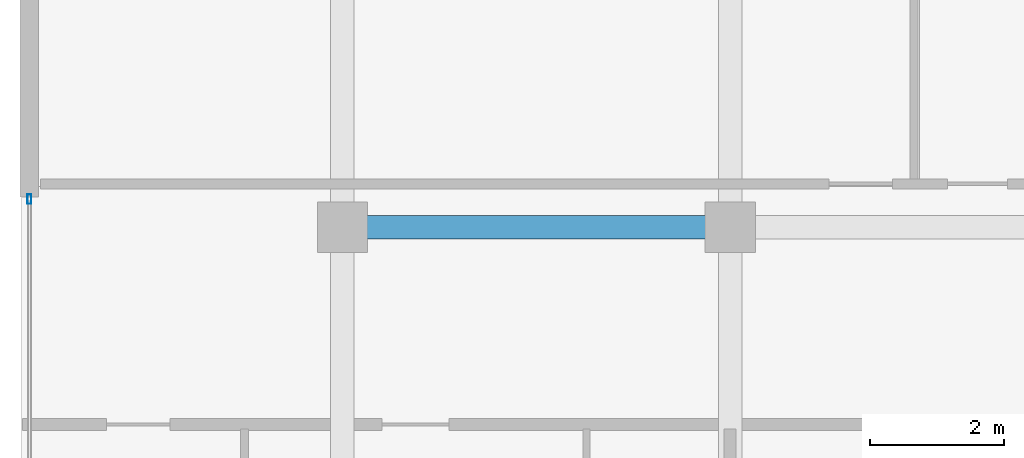
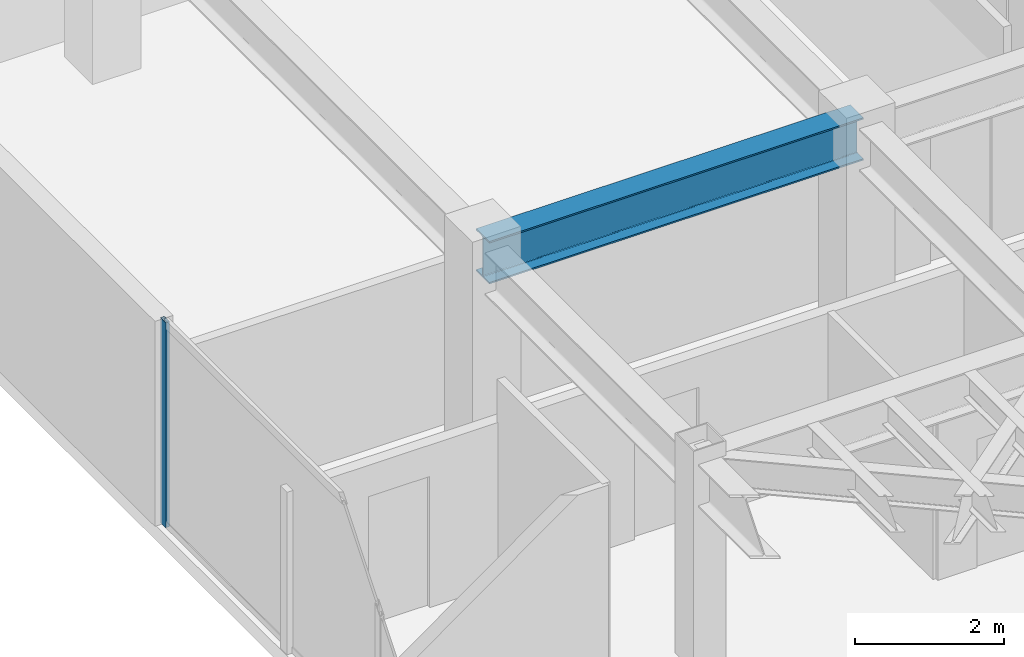
# One storey, part 11 of 19: 1 beam, 1 member, 1 element without a shape of its own.
"""IFC4 building model written with IfcOpenShell, lengths in metres."""

import ifcopenshell
import ifcopenshell.guid

model = None  # the IFC model being written
_history = None  # IfcOwnerHistory: only IFC2X3 demands one
_inside = {}  # id of a spatial element -> (the spatial element, [elements in it])
_under = {}  # id of a project, library or spatial element -> (it, [spatial elements below it])
_declared = {}  # id of a project -> (the project, [libraries it declares])
_typed = {}  # id of a type object -> (the type object, [elements of that type])
_made_of = {}  # id of a material, layer set ... -> (it, [elements and type objects made of it])


def new_model(schema):
    """Start an empty IFC model of exactly this schema.

    Asked for "IFC4X3", IfcOpenShell would pick the latest addendum, in which some entities
    have other attributes; the version numbers below select the first issue.
    IFC2X3 requires an IfcOwnerHistory on every rooted entity: one is made here for all.
    """
    global model, _history
    if schema == "IFC4X3":
        model = ifcopenshell.file(schema_version=(4, 3, 0, 0))
    else:
        model = ifcopenshell.file(schema=schema)
    _inside.clear()
    _under.clear()
    _declared.clear()
    _typed.clear()
    _made_of.clear()
    _history = None
    if model.schema == "IFC2X3":
        org = make("IfcOrganization", Name="unknown")
        user = make(
            "IfcPersonAndOrganization",
            ThePerson=make("IfcPerson", FamilyName="unknown"),
            TheOrganization=org,
        )
        app = make(
            "IfcApplication",
            ApplicationDeveloper=org,
            Version="unknown",
            ApplicationFullName="unknown",
            ApplicationIdentifier="unknown",
        )
        _history = make(
            "IfcOwnerHistory",
            OwningUser=user,
            OwningApplication=app,
            ChangeAction="ADDED",
            CreationDate=0,
        )
    return model


def make(cls, **values):
    """One entity of the class cls with the attributes given. An attribute that is None is left unset."""
    return model.create_entity(
        cls, **{name: value for name, value in values.items() if value is not None}
    )


def rooted(cls, **values):
    """An entity with a GlobalId (a new one), such as an element, a storey or a relation."""
    return make(cls, GlobalId=ifcopenshell.guid.new(), OwnerHistory=_history, **values)


def si_unit(unit_type, name, prefix=None):
    """IfcSIUnit, for example si_unit("LENGTHUNIT", "METRE", prefix="MILLI")."""
    return make("IfcSIUnit", UnitType=unit_type, Prefix=prefix, Name=name)


def assignment(units):
    """IfcUnitAssignment: the units of a project."""
    return None if units is None else make("IfcUnitAssignment", Units=units)


def point(xyz):
    """IfcCartesianPoint."""
    return None if xyz is None else make("IfcCartesianPoint", Coordinates=xyz)


def direction(xyz):
    """IfcDirection."""
    return None if xyz is None else make("IfcDirection", DirectionRatios=xyz)


def frame(location, z_axis=None, x_axis=None):
    """IfcAxis2Placement3D, a coordinate frame: its origin and axes. An axis left out is left unset."""
    return make(
        "IfcAxis2Placement3D",
        Location=point(location),
        Axis=direction(z_axis),
        RefDirection=direction(x_axis),
    )


def frame_2d(location, x_axis=None):
    """IfcAxis2Placement2D, a coordinate frame in the plane: its origin and x axis."""
    return make(
        "IfcAxis2Placement2D", Location=point(location), RefDirection=direction(x_axis)
    )


def origin():
    """The frame at (0, 0, 0) with its axes left unset."""
    return frame((0.0, 0.0, 0.0))


def origin_2d():
    """The frame at (0, 0) in the plane with its x axis left unset."""
    return frame_2d((0.0, 0.0))


def place(relative_to, where):
    """IfcLocalPlacement: puts the frame where relative to a parent placement (None: the world)."""
    return make(
        "IfcLocalPlacement", PlacementRelTo=relative_to, RelativePlacement=where
    )


def context(
    kind, dimensions, precision=None, world=None, true_north=None, identifier=None
):
    """IfcGeometricRepresentationContext, for example the 3D "Model" context."""
    return make(
        "IfcGeometricRepresentationContext",
        ContextIdentifier=identifier,
        ContextType=kind,
        CoordinateSpaceDimension=dimensions,
        Precision=precision,
        WorldCoordinateSystem=world,
        TrueNorth=true_north,
    )


def subcontext(parent, identifier, kind, view, scale=None):
    """IfcGeometricRepresentationSubContext, for example "Body" below "Model"."""
    return make(
        "IfcGeometricRepresentationSubContext",
        ContextIdentifier=identifier,
        ContextType=kind,
        ParentContext=parent,
        TargetScale=scale,
        TargetView=view,
    )


def project(units=None, contexts=None):
    """IfcProject with its units and contexts."""
    return rooted(
        "IfcProject",
        Name="project",
        RepresentationContexts=contexts,
        UnitsInContext=assignment(units),
    )


def spatial(cls, under=None, at=None, **own):
    """A site, building, storey or space (cls), placed at a placement, below another one or the project."""
    s = rooted(cls, ObjectPlacement=at, **own)
    if under is not None:
        _under.setdefault(under.id(), (under, []))[1].append(s)
    return s


def profile(cls, at=None, kind="AREA", **sizes):
    """A parametric profile (cls). Its sizes go by their IFC names, for example OverallWidth=200.0."""
    return make(cls, ProfileType=kind, Position=at, **sizes)


def hollow_rectangle(**sizes):
    """IfcRectangleHollowProfileDef."""
    return profile("IfcRectangleHollowProfileDef", **sizes)


def i_section(**sizes):
    """IfcIShapeProfileDef."""
    return profile("IfcIShapeProfileDef", **sizes)


def extrude(swept, where, along, depth):
    """IfcExtrudedAreaSolid: the profile swept, set in the frame where, extruded along a direction by depth."""
    return make(
        "IfcExtrudedAreaSolid",
        SweptArea=swept,
        Position=where,
        ExtrudedDirection=direction(along),
        Depth=depth,
    )


def shape(context_of_items, identifier, shape_type, items):
    """IfcShapeRepresentation: the items that make up one representation, for example the "Body"."""
    return make(
        "IfcShapeRepresentation",
        ContextOfItems=context_of_items,
        RepresentationIdentifier=identifier,
        RepresentationType=shape_type,
        Items=items,
    )


def material(Name=None, Category=None):
    """IfcMaterial."""
    return make("IfcMaterial", Name=Name, Category=Category)


def layer(
    of_material, thickness, ventilated=None, Name=None, Category=None, Priority=None
):
    """IfcMaterialLayer: one layer of a wall or slab, of a material (None: an air gap)."""
    return make(
        "IfcMaterialLayer",
        Material=of_material,
        LayerThickness=thickness,
        IsVentilated=ventilated,
        Name=Name,
        Category=Category,
        Priority=Priority,
    )


def layer_set(layers, Name=None):
    """IfcMaterialLayerSet."""
    return make("IfcMaterialLayerSet", MaterialLayers=layers, LayerSetName=Name)


def material_profile(
    of_material, cross_section, Name=None, Category=None, Priority=None
):
    """IfcMaterialProfile: a cross section and its material."""
    return make(
        "IfcMaterialProfile",
        Name=Name,
        Material=of_material,
        Profile=cross_section,
        Priority=Priority,
        Category=Category,
    )


def profile_set(profiles, Name=None, composite=None):
    """IfcMaterialProfileSet."""
    return make(
        "IfcMaterialProfileSet",
        Name=Name,
        MaterialProfiles=profiles,
        CompositeProfile=composite,
    )


def made_of(thing, what):
    """Note that an element or type object is made of a material, layer set ...; save() writes the relation."""
    if what is not None:
        _made_of.setdefault(what.id(), (what, []))[1].append(thing)
    return thing


def type_object(cls, material=None, **own):
    """A type object (cls), such as IfcWallType, which elements share."""
    return made_of(rooted(cls, **own), material)


def element(
    cls,
    number,
    at=None,
    inside=None,
    cuts=None,
    type_object=None,
    material=None,
    context=None,
    identifier="Body",
    shape_type=None,
    held_by="IfcProductDefinitionShape",
    body=None,
    shapes=None,
    **own,
):
    """One element of the class cls, such as IfcWall. Its Tag is "e" and its number.

    at: its placement. inside: the storey or other place that contains it. cuts: it is an
    opening in that element (IfcRelVoidsElement). A single representation is given by context,
    identifier, shape_type and body (its items); several are given by shapes. held_by: the class
    of the entity that holds the representations. save() writes the other relations.
    """
    e = rooted(cls, Tag="e%d" % number, ObjectPlacement=at, **own)
    if body is not None:
        shapes = [shape(context, identifier, shape_type, body)]
    if shapes is not None:
        e.Representation = make(held_by, Representations=shapes)
    if inside is not None:
        _inside.setdefault(inside.id(), (inside, []))[1].append(e)
    if cuts is not None:
        rooted(
            "IfcRelVoidsElement", RelatingBuildingElement=cuts, RelatedOpeningElement=e
        )
    if type_object is not None:
        _typed.setdefault(type_object.id(), (type_object, []))[1].append(e)
    return made_of(e, material)


def aggregate(whole, parts):
    """IfcRelAggregates: a whole, such as a stair, and the parts it consists of."""
    return rooted("IfcRelAggregates", RelatingObject=whole, RelatedObjects=parts)


def save(model, path):
    """Write the relations noted so far, then the file.

    IfcRelAggregates (storeys below a building ...), IfcRelContainedInSpatialStructure (elements
    in a storey), IfcRelDefinesByType, IfcRelAssociatesMaterial and IfcRelDeclares: one each for
    every whole, place, type object, material and project.
    """
    for whole, parts in _under.values():
        aggregate(whole, parts)
    for where, things in _inside.values():
        rooted(
            "IfcRelContainedInSpatialStructure",
            RelatedElements=things,
            RelatingStructure=where,
        )
    for kind, things in _typed.values():
        rooted("IfcRelDefinesByType", RelatedObjects=things, RelatingType=kind)
    for what, things in _made_of.values():
        rooted("IfcRelAssociatesMaterial", RelatedObjects=things, RelatingMaterial=what)
    for by, libraries in _declared.values():
        rooted("IfcRelDeclares", RelatingContext=by, RelatedDefinitions=libraries)
    model.write(path)


model = new_model("IFC4")

# Units and contexts
model_context = context("Model", 3, precision=1e-05, world=origin(), true_north=direction((0.0, 1.0)))
body_context = subcontext(model_context, "Body", "Model", "MODEL_VIEW")
ifc_project = project(units=[si_unit("LENGTHUNIT", "METRE"), si_unit("AREAUNIT", "SQUARE_METRE"), si_unit("VOLUMEUNIT", "CUBIC_METRE"), si_unit("PLANEANGLEUNIT", "RADIAN"), si_unit("MASSUNIT", "GRAM", prefix="KILO")], contexts=[model_context])

# Site, building, storey
site_placement = place(None, origin())
site = spatial("IfcSite", under=ifc_project, at=site_placement, CompositionType="ELEMENT")
building_placement = place(site_placement, origin())
building = spatial("IfcBuilding", under=site, at=building_placement, Name="Kravanh Interchange Tower", CompositionType="ELEMENT")
storey_placement = place(building_placement, frame((0.0, 0.0, 270.60009765625)))
storey = spatial("IfcBuildingStorey", under=building, at=storey_placement, Name="L66", CompositionType="ELEMENT", Elevation=270.60009765625)

# Curtain wall, member
ifc_material_1 = material(Name="Anodised Bronze Aluminium", Category="aluminium")
ifc_layer = layer(ifc_material_1, 0.179931640625)
ifc_layer_set = layer_set([ifc_layer], Name="Unitised Curtain Wall System CW-HTL Luxury Hotel")
curtain_wall_type = type_object("IfcCurtainWallType", Name="Unitised Curtain Wall System CW-HTL Luxury Hotel", PredefinedType="NOTDEFINED", material=ifc_layer_set)
curtain_wall_placement = place(storey_placement, origin())
curtain_wall = element("IfcCurtainWall", 1, at=curtain_wall_placement, inside=storey, type_object=curtain_wall_type, Name="L66 Unitised Curtain Wall CW-L66-01", PredefinedType="NOTDEFINED")
ifc_material_2 = material(Name="Anodised Bronze Aluminium", Category="aluminium")
ifc_material_profile_1 = material_profile(ifc_material_2, hollow_rectangle(XDim=0.06005859375, YDim=0.139892578125, WallThickness=0.00390625, at=origin_2d()), Name="ALU60X140X4")
ifc_profile_set_1 = profile_set([ifc_material_profile_1], Name="Anodised Bronze Aluminium")
member_type = type_object("IfcMemberType", Name="Curtain Wall Mullion ALU60X140X4 Bronze", PredefinedType="MULLION", material=ifc_profile_set_1)
member_placement = place(storey_placement, frame((28.1201171875, 37.77001953125, 0.0), z_axis=(0.0, 0.0, 1.0), x_axis=(-1.0, 0.0, 0.0)))
member = element("IfcMember", 2, at=member_placement, type_object=member_type, Name="CW-HTL mullion 4", PredefinedType="MULLION", context=body_context, shape_type="SweptSolid", body=[
    extrude(hollow_rectangle(XDim=0.06005859375, YDim=0.139892578125, WallThickness=0.00390625, at=origin_2d()), origin(), (0.0, 0.0, 1.0), 3.35986328125),
])
aggregate(curtain_wall, [member])

# Beam
ifc_material_3 = material(Name="Structural Steel S355", Category="steel")
ifc_material_profile_2 = material_profile(ifc_material_3, i_section(OverallWidth=0.35498046875, OverallDepth=0.696044921875, WebThickness=0.015380859375, FlangeThickness=0.02490234375, FilletRadius=0.02392578125, at=origin_2d()), Name="W27X146")
ifc_profile_set_2 = profile_set([ifc_material_profile_2], Name="Structural Steel S355")
beam_type = type_object("IfcBeamType", Name="Floor Beam W27X146 Structural Steel S355", PredefinedType="BEAM", material=ifc_profile_set_2)
beam_placement = place(storey_placement, frame((38.60009765625, 37.35009765625, 3.011962890625), z_axis=(-1.0, 0.0, 0.0), x_axis=(0.0, -1.0, 0.0)))
element("IfcBeam", 3, at=beam_placement, inside=storey, type_object=beam_type, Name="L66 Primary Floor Girder 46", PredefinedType="BEAM", context=body_context, shape_type="SweptSolid", body=[
    extrude(i_section(OverallWidth=0.35498046875, OverallDepth=0.696044921875, WebThickness=0.015380859375, FlangeThickness=0.02490234375, FilletRadius=0.02392578125, at=origin_2d()), origin(), (0.0, 0.0, 1.0), 5.800048828125),
])

save(model, "model.ifc")
